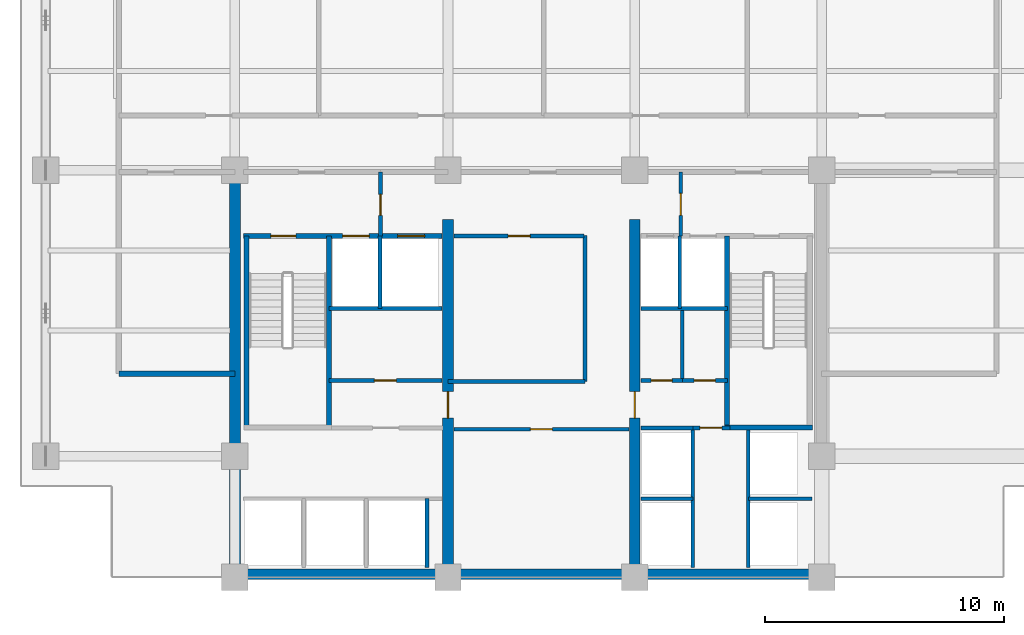
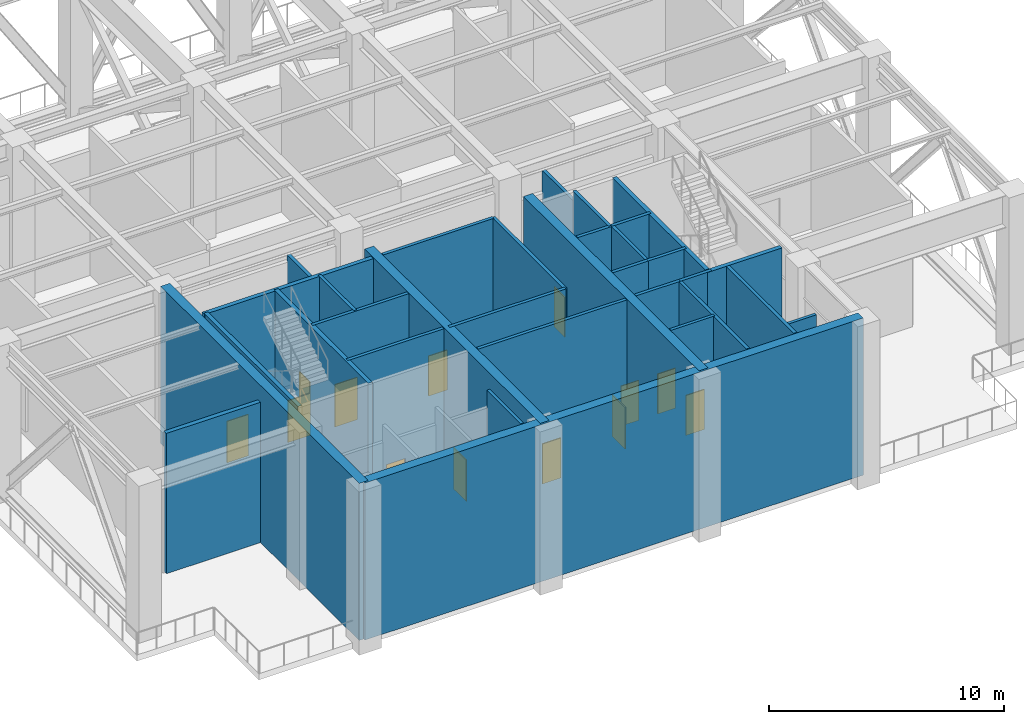
# One storey, part 3 of 7: 31 walls, 13 doors, 13 openings.
"""IFC4 building model written with IfcOpenShell, lengths in metres."""

from ifc_helpers import new_model, si_unit, direction, frame, frame_2d, origin, place, context, subcontext, project, spatial, rectangle, extrude, material, layer, layer_set, type_object, element, fill, save


model = new_model("IFC4")

# Units and contexts
model_context = context("Model", 3, precision=1e-05, world=origin(), true_north=direction((0.0, 1.0)))
body_context = subcontext(model_context, "Body", "Model", "MODEL_VIEW")
ifc_project = project(units=[si_unit("LENGTHUNIT", "METRE"), si_unit("AREAUNIT", "SQUARE_METRE"), si_unit("VOLUMEUNIT", "CUBIC_METRE"), si_unit("PLANEANGLEUNIT", "RADIAN"), si_unit("MASSUNIT", "GRAM", prefix="KILO")], contexts=[model_context])

# Site, building, storey
site_placement = place(None, origin())
site = spatial("IfcSite", under=ifc_project, at=site_placement, CompositionType="ELEMENT")
building_placement = place(site_placement, origin())
building = spatial("IfcBuilding", under=site, at=building_placement, Name="Qalmaran Belvedere Hotel", CompositionType="ELEMENT")
storey_placement = place(building_placement, frame((0.0, 0.0, 184.10009765625)))
storey = spatial("IfcBuildingStorey", under=building, at=storey_placement, Name="L47", CompositionType="ELEMENT", Elevation=184.10009765625)

# Walls
ifc_material_1 = material(Name="Concrete C50/60", Category="concrete")
ifc_layer_1 = layer(ifc_material_1, 0.449951171875, Name="Concrete C50/60")
ifc_layer_set_1 = layer_set([ifc_layer_1], Name="Concrete C50/60")
wall_type_1 = type_object("IfcWallType", Name="WL-CORE-450-C50", PredefinedType="SHEAR", material=ifc_layer_set_1)
wall_1_placement = place(storey_placement, frame((20.300048828125, 3.6298828125, 0.0), z_axis=(0.0, 0.0, 1.0), x_axis=(1.0, 0.0, 0.0)))
element("IfcWall", 1, at=wall_1_placement, inside=storey, type_object=wall_type_1, Name="L47 South Core Shear Wall", PredefinedType="SHEAR", context=body_context, shape_type="SweptSolid", body=[
    extrude(rectangle(XDim=24.5, YDim=0.449951171875, at=frame_2d((12.25, 0.0))), origin(), (0.0, 0.0, 1.0), 8.159912109375),
])
wall_2_placement = place(storey_placement, frame((20.300048828125, 3.5, 0.0), z_axis=(0.0, 0.0, 1.0), x_axis=(0.0, 1.0, 0.0)))
element("IfcWall", 2, at=wall_2_placement, inside=storey, type_object=wall_type_1, Name="L47 West Core Shear Wall", PredefinedType="SHEAR", context=body_context, shape_type="SweptSolid", body=[
    extrude(rectangle(XDim=16.89990234375, YDim=0.449951171875, at=frame_2d((8.449951171875, 0.0))), origin(), (0.0, 0.0, 1.0), 8.159912109375),
])

# Wall, opening, door
wall_3_placement = place(storey_placement, frame((29.199951171875, 3.5, 0.0), z_axis=(0.0, 0.0, 1.0), x_axis=(0.0, 1.0, 0.0)))
wall_3 = element("IfcWall", 3, at=wall_3_placement, inside=storey, type_object=wall_type_1, Name="L47 Core West Spine Shear Wall", PredefinedType="SHEAR", context=body_context, shape_type="SweptSolid", body=[
    extrude(rectangle(XDim=14.949951171875, YDim=0.449951171875, at=frame_2d((7.47509765625, 0.0))), origin(), (0.0, 0.0, 1.0), 8.159912109375),
])
opening_1_placement = place(wall_3_placement, frame((7.75, 0.0, 0.0), z_axis=(0.0, 0.0, 1.0), x_axis=(-1.0, 0.0, 0.0)))
opening_1 = element("IfcOpeningElement", 4, at=opening_1_placement, cuts=wall_3, Name="Opening FD90", PredefinedType="OPENING", context=body_context, shape_type="SweptSolid", body=[
    extrude(rectangle(XDim=1.10009765625, YDim=2.14990234375, at=frame_2d((0.550048828125, 1.074951171875))), frame((0.0, 0.23486328125, 0.0), z_axis=(0.0, -1.0, 0.0), x_axis=(1.0, 0.0, 0.0)), (0.0, 0.0, 1.0), 0.469970703125),
])
ifc_material_2 = material(Name="Steel S355JR", Category="steel")
door_type_1 = type_object("IfcDoorType", Name="DR-FD90-1100X2150", OperationType="NOTDEFINED", PredefinedType="DOOR", material=ifc_material_2)
door_1_placement = place(opening_1_placement, origin())
door_1 = element("IfcDoor", 5, at=door_1_placement, inside=storey, type_object=door_type_1, Name="L47 Core West Cross-Lobby Door", OperationType="SINGLE_SWING_RIGHT", OverallHeight=2.14990234375, OverallWidth=1.10009765625, PredefinedType="DOOR", context=body_context, shape_type="SweptSolid", body=[
    extrude(rectangle(XDim=1.10009765625, YDim=2.14990234375, at=frame_2d((0.550048828125, 1.074951171875))), frame((0.0, 0.02490234375, 0.0), z_axis=(0.0, -1.0, 0.0), x_axis=(1.0, 0.0, 0.0)), (0.0, 0.0, 1.0), 0.050048828125),
])
fill(opening_1, door_1)

wall_4_placement = place(storey_placement, frame((37.0, 3.5, 0.0), z_axis=(0.0, 0.0, 1.0), x_axis=(0.0, 1.0, 0.0)))
wall_4 = element("IfcWall", 6, at=wall_4_placement, inside=storey, type_object=wall_type_1, Name="L47 Core East Spine Shear Wall", PredefinedType="SHEAR", context=body_context, shape_type="SweptSolid", body=[
    extrude(rectangle(XDim=14.949951171875, YDim=0.449951171875, at=frame_2d((7.47509765625, 0.0))), origin(), (0.0, 0.0, 1.0), 8.159912109375),
])
opening_2_placement = place(wall_4_placement, frame((6.64990234375, 0.0, 0.0)))
opening_2 = element("IfcOpeningElement", 7, at=opening_2_placement, cuts=wall_4, Name="Opening FD90", PredefinedType="OPENING", context=body_context, shape_type="SweptSolid", body=[
    extrude(rectangle(XDim=1.10009765625, YDim=2.14990234375, at=frame_2d((0.550048828125, 1.074951171875))), frame((0.0, 0.23486328125, 0.0), z_axis=(0.0, -1.0, 0.0), x_axis=(1.0, 0.0, 0.0)), (0.0, 0.0, 1.0), 0.469970703125),
])
door_2_placement = place(opening_2_placement, origin())
door_2 = element("IfcDoor", 8, at=door_2_placement, inside=storey, type_object=door_type_1, Name="L47 Core East Cross-Lobby Door", OperationType="SINGLE_SWING_LEFT", OverallHeight=2.14990234375, OverallWidth=1.10009765625, PredefinedType="DOOR", context=body_context, shape_type="SweptSolid", body=[
    extrude(rectangle(XDim=1.10009765625, YDim=2.14990234375, at=frame_2d((0.550048828125, 1.074951171875))), frame((0.0, 0.02490234375, 0.0), z_axis=(0.0, -1.0, 0.0), x_axis=(1.0, 0.0, 0.0)), (0.0, 0.0, 1.0), 0.050048828125),
])
fill(opening_2, door_2)

# Walls
ifc_material_3 = material(Name="Gypsum Stud Partition")
ifc_layer_2 = layer(ifc_material_3, 0.14990234375, Name="Gypsum Stud Partition")
ifc_layer_set_2 = layer_set([ifc_layer_2], Name="Gypsum Stud Partition")
wall_type_2 = type_object("IfcWallType", Name="WL-INT-150-EI120", PredefinedType="PARTITIONING", material=ifc_layer_set_2)
for number, where, z_axis, x_axis, name in (
    (9, (26.360107421875, 14.719970703125, 0.0), (0.0, 0.0, 1.0), (0.0, 1.0, 0.0), "L47 Partition WL-FF1M-L47"),
    (10, (38.8798828125, 14.719970703125, 0.0), (0.0, 0.0, 1.0), (0.0, 1.0, 0.0), "L47 Partition WL-FF2M-L47"),
):
    element("IfcWall", number, at=place(storey_placement, frame(where, z_axis=z_axis, x_axis=x_axis)), inside=storey, type_object=wall_type_2, Name=name, PredefinedType="PARTITIONING", context=body_context, shape_type="SweptSolid", body=[
        extrude(rectangle(XDim=3.0400390625, YDim=0.14990234375, at=frame_2d((1.52001953125, 0.0))), origin(), (0.0, 0.0, 1.0), 8.159912109375),
    ])
wall_5_placement = place(storey_placement, frame((28.320068359375, 3.89990234375, 0.0), z_axis=(0.0, 0.0, 1.0), x_axis=(0.0, 1.0, 0.0)))
element("IfcWall", 11, at=wall_5_placement, inside=storey, type_object=wall_type_2, Name="L47 Partition WL-POM3-L47", PredefinedType="PARTITIONING", context=body_context, shape_type="SweptSolid", body=[
    extrude(rectangle(XDim=2.880126953125, YDim=0.14990234375, at=frame_2d((1.43994140625, 0.0))), origin(), (0.0, 0.0, 1.0), 8.159912109375),
])
wall_6_placement = place(storey_placement, frame((37.25, 6.780029296875, 0.0), z_axis=(0.0, 0.0, 1.0), x_axis=(1.0, 0.0, 0.0)))
element("IfcWall", 12, at=wall_6_placement, inside=storey, type_object=wall_type_2, Name="L47 Partition WL-PHMW-L47", PredefinedType="PARTITIONING", context=body_context, shape_type="SweptSolid", body=[
    extrude(rectangle(XDim=2.169921875, YDim=0.14990234375, at=frame_2d((1.0849609375, 0.0))), origin(), (0.0, 0.0, 1.0), 8.159912109375),
])
wall_7_placement = place(storey_placement, frame((41.739990234375, 6.780029296875, 0.0), z_axis=(0.0, 0.0, 1.0), x_axis=(1.0, 0.0, 0.0)))
element("IfcWall", 13, at=wall_7_placement, inside=storey, type_object=wall_type_2, Name="L47 Partition WL-PHME-L47", PredefinedType="PARTITIONING", context=body_context, shape_type="SweptSolid", body=[
    extrude(rectangle(XDim=2.659912109375, YDim=0.14990234375, at=frame_2d((1.330078125, 0.0))), origin(), (0.0, 0.0, 1.0), 6.46484375),
])
ifc_layer_3 = layer(ifc_material_3, 0.14990234375, Name="Gypsum Stud Partition")
ifc_layer_set_3 = layer_set([ifc_layer_3], Name="Gypsum Stud Partition")
wall_type_3 = type_object("IfcWallType", Name="WL-INT-150-EI60", PredefinedType="PARTITIONING", material=ifc_layer_set_3)
wall_8_placement = place(storey_placement, frame((38.98291015625, 11.719970703125, 0.0), z_axis=(0.0, 0.0, 1.0), x_axis=(0.0, 1.0, 0.0)))
element("IfcWall", 14, at=wall_8_placement, inside=storey, type_object=wall_type_3, Name="L47 Partition WL-L47-KEV1", PredefinedType="PARTITIONING", context=body_context, shape_type="SweptSolid", body=[
    extrude(rectangle(XDim=2.929931640625, YDim=0.14990234375, at=frame_2d((1.46484375, 0.0))), origin(), (0.0, 0.0, 1.0), 8.159912109375),
])

# Wall, opening, door
ifc_layer_4 = layer(ifc_material_3, 0.159912109375, Name="Gypsum Stud Partition")
ifc_layer_set_4 = layer_set([ifc_layer_4], Name="Gypsum Stud Partition")
wall_type_4 = type_object("IfcWallType", Name="WL-INT-160-EI120", PredefinedType="PARTITIONING", material=ifc_layer_set_4)
wall_9_placement = place(storey_placement, frame((26.3798828125, 17.760009765625, 0.0), z_axis=(0.0, 0.0, 1.0), x_axis=(0.0, 1.0, 0.0)))
wall_9 = element("IfcWall", 15, at=wall_9_placement, inside=storey, type_object=wall_type_4, Name="L47 Partition WL-FFSV1-L47", PredefinedType="PARTITIONING", context=body_context, shape_type="SweptSolid", body=[
    extrude(rectangle(XDim=2.659912109375, YDim=0.159912109375, at=frame_2d((1.330078125, 0.0))), origin(), (0.0, 0.0, 1.0), 7.601806640625),
])
opening_3_placement = place(wall_9_placement, frame((0.85009765625, 0.0, 0.0)))
opening_3 = element("IfcOpeningElement", 16, at=opening_3_placement, cuts=wall_9, Name="Opening FD60B", PredefinedType="OPENING", context=body_context, shape_type="SweptSolid", body=[
    extrude(rectangle(XDim=0.8798828125, YDim=2.080078125, at=frame_2d((0.43994140625, 1.0400390625))), frame((0.0, 0.08984375, 0.0), z_axis=(0.0, -1.0, 0.0), x_axis=(1.0, 0.0, 0.0)), (0.0, 0.0, 1.0), 0.179931640625),
])
door_type_2 = type_object("IfcDoorType", Name="DR-FD60B-880X2080", OperationType="NOTDEFINED", PredefinedType="DOOR", material=ifc_material_2)
door_3_placement = place(opening_3_placement, origin())
door_3 = element("IfcDoor", 17, at=door_3_placement, inside=storey, type_object=door_type_2, Name="L47 Service Lobby West Door", OperationType="SINGLE_SWING_RIGHT", OverallHeight=2.080078125, OverallWidth=0.8798828125, PredefinedType="DOOR", context=body_context, shape_type="SweptSolid", body=[
    extrude(rectangle(XDim=0.8798828125, YDim=2.080078125, at=frame_2d((0.43994140625, 1.0400390625))), frame((0.0, 0.02490234375, 0.0), z_axis=(0.0, -1.0, 0.0), x_axis=(1.0, 0.0, 0.0)), (0.0, 0.0, 1.0), 0.050048828125),
])
fill(opening_3, door_3)

wall_10_placement = place(storey_placement, frame((38.919921875, 17.760009765625, 0.0), z_axis=(0.0, 0.0, 1.0), x_axis=(0.0, 1.0, 0.0)))
wall_10 = element("IfcWall", 18, at=wall_10_placement, inside=storey, type_object=wall_type_4, Name="L47 Partition WL-FFSV2-L47", PredefinedType="PARTITIONING", context=body_context, shape_type="SweptSolid", body=[
    extrude(rectangle(XDim=2.659912109375, YDim=0.159912109375, at=frame_2d((1.330078125, 0.0))), origin(), (0.0, 0.0, 1.0), 7.601806640625),
])
opening_4_placement = place(wall_10_placement, frame((1.77001953125, 0.0, 0.0), z_axis=(0.0, 0.0, 1.0), x_axis=(-1.0, 0.0, 0.0)))
opening_4 = element("IfcOpeningElement", 19, at=opening_4_placement, cuts=wall_10, Name="Opening FD60S1", PredefinedType="OPENING", context=body_context, shape_type="SweptSolid", body=[
    extrude(rectangle(XDim=0.919921875, YDim=2.080078125, at=frame_2d((0.4599609375, 1.0400390625))), frame((0.0, 0.08984375, 0.0), z_axis=(0.0, -1.0, 0.0), x_axis=(1.0, 0.0, 0.0)), (0.0, 0.0, 1.0), 0.179931640625),
])
ifc_material_4 = material(Name="Engineered Oak Veneer")
door_type_3 = type_object("IfcDoorType", Name="DR-FD60S-920X2080", OperationType="NOTDEFINED", PredefinedType="DOOR", material=ifc_material_4)
door_4_placement = place(opening_4_placement, origin())
door_4 = element("IfcDoor", 20, at=door_4_placement, inside=storey, type_object=door_type_3, Name="L47 Service Lobby East Door", OperationType="SINGLE_SWING_LEFT", OverallHeight=2.080078125, OverallWidth=0.919921875, PredefinedType="DOOR", context=body_context, shape_type="SweptSolid", body=[
    extrude(rectangle(XDim=0.919921875, YDim=2.080078125, at=frame_2d((0.4599609375, 1.0400390625))), frame((0.0, 0.02490234375, 0.0), z_axis=(0.0, -1.0, 0.0), x_axis=(1.0, 0.0, 0.0)), (0.0, 0.0, 1.0), 0.050048828125),
])
fill(opening_4, door_4)

# Walls
wall_11_placement = place(storey_placement, frame((24.219970703125, 14.719970703125, 0.0), z_axis=(0.0, 0.0, 1.0), x_axis=(1.0, 0.0, 0.0)))
element("IfcWall", 21, at=wall_11_placement, inside=storey, type_object=wall_type_4, Name="L47 Partition WL-FF1S-L47", PredefinedType="PARTITIONING", context=body_context, shape_type="SweptSolid", body=[
    extrude(rectangle(XDim=4.72998046875, YDim=0.159912109375, at=frame_2d((2.364990234375, 0.0))), origin(), (0.0, 0.0, 1.0), 8.159912109375),
])
wall_12_placement = place(storey_placement, frame((37.25, 14.719970703125, 0.0), z_axis=(0.0, 0.0, 1.0), x_axis=(1.0, 0.0, 0.0)))
element("IfcWall", 22, at=wall_12_placement, inside=storey, type_object=wall_type_4, Name="L47 Partition WL-FF2S-L47", PredefinedType="PARTITIONING", context=body_context, shape_type="SweptSolid", body=[
    extrude(rectangle(XDim=3.610107421875, YDim=0.159912109375, at=frame_2d((1.80517578125, 0.0))), origin(), (0.0, 0.0, 1.0), 8.159912109375),
])
for number, where, z_axis, x_axis, name in (
    (23, (39.419921875, 3.89990234375, 0.0), (0.0, 0.0, 1.0), (0.0, 1.0, 0.0), "L47 Partition WL-PHW-L47"),
    (24, (41.739990234375, 3.89990234375, 0.0), (0.0, 0.0, 1.0), (0.0, 1.0, 0.0), "L47 Partition WL-PHE-L47"),
):
    element("IfcWall", number, at=place(storey_placement, frame(where, z_axis=z_axis, x_axis=x_axis)), inside=storey, type_object=wall_type_4, Name=name, PredefinedType="PARTITIONING", context=body_context, shape_type="SweptSolid", body=[
        extrude(rectangle(XDim=5.840087890625, YDim=0.159912109375, at=frame_2d((2.919921875, 0.0))), origin(), (0.0, 0.0, 1.0), 8.159912109375),
    ])
wall_13_placement = place(storey_placement, frame((37.25, 9.739990234375, 0.0), z_axis=(0.0, 0.0, 1.0), x_axis=(1.0, 0.0, 0.0)))
element("IfcWall", 25, at=wall_13_placement, inside=storey, type_object=wall_type_4, Name="L47 Partition WL-PHNW-L47", PredefinedType="PARTITIONING", context=body_context, shape_type="SweptSolid", body=[
    extrude(rectangle(XDim=2.169921875, YDim=0.159912109375, at=frame_2d((1.0849609375, 0.0))), origin(), (0.0, 0.0, 1.0), 8.159912109375),
])

# Wall, opening, door
wall_14_placement = place(storey_placement, frame((39.419921875, 9.739990234375, 0.0), z_axis=(0.0, 0.0, 1.0), x_axis=(1.0, 0.0, 0.0)))
wall_14 = element("IfcWall", 26, at=wall_14_placement, inside=storey, type_object=wall_type_4, Name="L47 Partition WL-PHNL-L47", PredefinedType="PARTITIONING", context=body_context, shape_type="SweptSolid", body=[
    extrude(rectangle(XDim=1.56005859375, YDim=0.159912109375, at=frame_2d((0.780029296875, 0.0))), origin(), (0.0, 0.0, 1.0), 8.159912109375),
])
opening_5_placement = place(wall_14_placement, frame((0.300048828125, 0.0, 0.0)))
opening_5 = element("IfcOpeningElement", 27, at=opening_5_placement, cuts=wall_14, Name="Opening FD60S1", PredefinedType="OPENING", context=body_context, shape_type="SweptSolid", body=[
    extrude(rectangle(XDim=0.919921875, YDim=2.080078125, at=frame_2d((0.4599609375, 1.0400390625))), frame((0.0, 0.08984375, 0.0), z_axis=(0.0, -1.0, 0.0), x_axis=(1.0, 0.0, 0.0)), (0.0, 0.0, 1.0), 0.179931640625),
])
door_5_placement = place(opening_5_placement, origin())
door_5 = element("IfcDoor", 28, at=door_5_placement, inside=storey, type_object=door_type_3, Name="L47 High-Rise Lift Lobby Passage Door", OperationType="SINGLE_SWING_LEFT", OverallHeight=2.080078125, OverallWidth=0.919921875, PredefinedType="DOOR", context=body_context, shape_type="SweptSolid", body=[
    extrude(rectangle(XDim=0.919921875, YDim=2.080078125, at=frame_2d((0.4599609375, 1.0400390625))), frame((0.0, 0.02490234375, 0.0), z_axis=(0.0, -1.0, 0.0), x_axis=(1.0, 0.0, 0.0)), (0.0, 0.0, 1.0), 0.050048828125),
])
fill(opening_5, door_5)

ifc_layer_5 = layer(ifc_material_3, 0.159912109375, Name="Gypsum Stud Partition")
ifc_layer_set_5 = layer_set([ifc_layer_5], Name="Gypsum Stud Partition")
wall_type_5 = type_object("IfcWallType", Name="WL-INT-160-EI60", PredefinedType="PARTITIONING", material=ifc_layer_set_5)
wall_15_placement = place(storey_placement, frame((24.219970703125, 11.719970703125, 0.0), z_axis=(0.0, 0.0, 1.0), x_axis=(1.0, 0.0, 0.0)))
wall_15 = element("IfcWall", 29, at=wall_15_placement, inside=storey, type_object=wall_type_5, Name="L47 Partition WL-L47-KWE1", PredefinedType="PARTITIONING", context=body_context, shape_type="SweptSolid", body=[
    extrude(rectangle(XDim=4.72998046875, YDim=0.159912109375, at=frame_2d((2.364990234375, 0.0))), origin(), (0.0, 0.0, 1.0), 8.159912109375),
])
opening_6_placement = place(wall_15_placement, frame((1.905029296875, 0.0, 0.0)))
opening_6 = element("IfcOpeningElement", 30, at=opening_6_placement, cuts=wall_15, Name="Opening FD60S1", PredefinedType="OPENING", context=body_context, shape_type="SweptSolid", body=[
    extrude(rectangle(XDim=0.919921875, YDim=2.080078125, at=frame_2d((0.4599609375, 1.0400390625))), frame((0.0, 0.08984375, 0.0), z_axis=(0.0, -1.0, 0.0), x_axis=(1.0, 0.0, 0.0)), (0.0, 0.0, 1.0), 0.179931640625),
])
door_6_placement = place(opening_6_placement, origin())
door_6 = element("IfcDoor", 31, at=door_6_placement, inside=storey, type_object=door_type_3, Name="L47 Electrical Switchgear Plant Room Door", OperationType="SINGLE_SWING_LEFT", OverallHeight=2.080078125, OverallWidth=0.919921875, PredefinedType="DOOR", context=body_context, shape_type="SweptSolid", body=[
    extrude(rectangle(XDim=0.919921875, YDim=2.080078125, at=frame_2d((0.4599609375, 1.0400390625))), frame((0.0, 0.02490234375, 0.0), z_axis=(0.0, -1.0, 0.0), x_axis=(1.0, 0.0, 0.0)), (0.0, 0.0, 1.0), 0.050048828125),
])
fill(opening_6, door_6)

wall_16_placement = place(storey_placement, frame((37.25, 11.719970703125, 0.0), z_axis=(0.0, 0.0, 1.0), x_axis=(1.0, 0.0, 0.0)))
wall_16 = element("IfcWall", 32, at=wall_16_placement, inside=storey, type_object=wall_type_5, Name="L47 Partition WL-L47-KEE1", PredefinedType="PARTITIONING", context=body_context, shape_type="SweptSolid", body=[
    extrude(rectangle(XDim=1.73291015625, YDim=0.159912109375, at=frame_2d((0.866455078125, 0.0))), origin(), (0.0, 0.0, 1.0), 8.159912109375),
])
opening_7_placement = place(wall_16_placement, frame((0.426513671875, 0.0, 0.0)))
opening_7 = element("IfcOpeningElement", 33, at=opening_7_placement, cuts=wall_16, Name="Opening FD60B", PredefinedType="OPENING", context=body_context, shape_type="SweptSolid", body=[
    extrude(rectangle(XDim=0.8798828125, YDim=2.080078125, at=frame_2d((0.43994140625, 1.0400390625))), frame((0.0, 0.08984375, 0.0), z_axis=(0.0, -1.0, 0.0), x_axis=(1.0, 0.0, 0.0)), (0.0, 0.0, 1.0), 0.179931640625),
])
door_7_placement = place(opening_7_placement, origin())
door_7 = element("IfcDoor", 34, at=door_7_placement, inside=storey, type_object=door_type_2, Name="L47 Smoke Control Plant Room Door", OperationType="SINGLE_SWING_RIGHT", OverallHeight=2.080078125, OverallWidth=0.8798828125, PredefinedType="DOOR", context=body_context, shape_type="SweptSolid", body=[
    extrude(rectangle(XDim=0.8798828125, YDim=2.080078125, at=frame_2d((0.43994140625, 1.0400390625))), frame((0.0, 0.02490234375, 0.0), z_axis=(0.0, -1.0, 0.0), x_axis=(1.0, 0.0, 0.0)), (0.0, 0.0, 1.0), 0.050048828125),
])
fill(opening_7, door_7)

wall_17_placement = place(storey_placement, frame((38.98291015625, 11.719970703125, 0.0), z_axis=(0.0, 0.0, 1.0), x_axis=(1.0, 0.0, 0.0)))
wall_17 = element("IfcWall", 35, at=wall_17_placement, inside=storey, type_object=wall_type_5, Name="L47 Partition WL-L47-KEE2", PredefinedType="PARTITIONING", context=body_context, shape_type="SweptSolid", body=[
    extrude(rectangle(XDim=1.877197265625, YDim=0.159912109375, at=frame_2d((0.9384765625, 0.0))), origin(), (0.0, 0.0, 1.0), 8.159912109375),
])
opening_8_placement = place(wall_17_placement, frame((0.49853515625, 0.0, 0.0)))
opening_8 = element("IfcOpeningElement", 36, at=opening_8_placement, cuts=wall_17, Name="Opening FD60B", PredefinedType="OPENING", context=body_context, shape_type="SweptSolid", body=[
    extrude(rectangle(XDim=0.8798828125, YDim=2.080078125, at=frame_2d((0.43994140625, 1.0400390625))), frame((0.0, 0.08984375, 0.0), z_axis=(0.0, -1.0, 0.0), x_axis=(1.0, 0.0, 0.0)), (0.0, 0.0, 1.0), 0.179931640625),
])
door_8_placement = place(opening_8_placement, origin())
door_8 = element("IfcDoor", 37, at=door_8_placement, inside=storey, type_object=door_type_2, Name="L47 Low Voltage Switch Plant Room Door", OperationType="SINGLE_SWING_LEFT", OverallHeight=2.080078125, OverallWidth=0.8798828125, PredefinedType="DOOR", context=body_context, shape_type="SweptSolid", body=[
    extrude(rectangle(XDim=0.8798828125, YDim=2.080078125, at=frame_2d((0.43994140625, 1.0400390625))), frame((0.0, 0.02490234375, 0.0), z_axis=(0.0, -1.0, 0.0), x_axis=(1.0, 0.0, 0.0)), (0.0, 0.0, 1.0), 0.050048828125),
])
fill(opening_8, door_8)

# Wall
wall_18_placement = place(storey_placement, frame((34.919921875, 11.679931640625, 0.0), z_axis=(0.0, 0.0, 1.0), x_axis=(0.0, 1.0, 0.0)))
element("IfcWall", 38, at=wall_18_placement, inside=storey, type_object=wall_type_5, Name="L47 Partition WL-CLLV-L47", PredefinedType="PARTITIONING", context=body_context, shape_type="SweptSolid", body=[
    extrude(rectangle(XDim=6.10009765625, YDim=0.159912109375, at=frame_2d((3.050048828125, 0.0))), origin(), (0.0, 0.0, 1.0), 8.159912109375),
])

# Wall, opening, door
wall_19_placement = place(storey_placement, frame((29.449951171875, 9.679931640625, 0.0), z_axis=(0.0, 0.0, 1.0), x_axis=(1.0, 0.0, 0.0)))
wall_19 = element("IfcWall", 39, at=wall_19_placement, inside=storey, type_object=wall_type_5, Name="L47 Partition WL-L47-KPLE1", PredefinedType="PARTITIONING", context=body_context, shape_type="SweptSolid", body=[
    extrude(rectangle(XDim=7.300048828125, YDim=0.159912109375, at=frame_2d((3.64990234375, 0.0))), origin(), (0.0, 0.0, 1.0), 8.159912109375),
])
opening_9_placement = place(wall_19_placement, frame((4.10986328125, 0.0, 0.0), z_axis=(0.0, 0.0, 1.0), x_axis=(-1.0, 0.0, 0.0)))
opening_9 = element("IfcOpeningElement", 40, at=opening_9_placement, cuts=wall_19, Name="Opening FD60S1", PredefinedType="OPENING", context=body_context, shape_type="SweptSolid", body=[
    extrude(rectangle(XDim=0.919921875, YDim=2.080078125, at=frame_2d((0.4599609375, 1.0400390625))), frame((0.0, 0.08984375, 0.0), z_axis=(0.0, -1.0, 0.0), x_axis=(1.0, 0.0, 0.0)), (0.0, 0.0, 1.0), 0.179931640625),
])
door_9_placement = place(opening_9_placement, origin())
door_9 = element("IfcDoor", 41, at=door_9_placement, inside=storey, type_object=door_type_3, Name="L47 Pressurisation Fan Plant Room Door", OperationType="SINGLE_SWING_RIGHT", OverallHeight=2.080078125, OverallWidth=0.919921875, PredefinedType="DOOR", context=body_context, shape_type="SweptSolid", body=[
    extrude(rectangle(XDim=0.919921875, YDim=2.080078125, at=frame_2d((0.4599609375, 1.0400390625))), frame((0.0, 0.02490234375, 0.0), z_axis=(0.0, -1.0, 0.0), x_axis=(1.0, 0.0, 0.0)), (0.0, 0.0, 1.0), 0.050048828125),
])
fill(opening_9, door_9)

# Wall
wall_20_placement = place(storey_placement, frame((29.199951171875, 11.679931640625, 0.0), z_axis=(0.0, 0.0, 1.0), x_axis=(1.0, 0.0, 0.0)))
element("IfcWall", 42, at=wall_20_placement, inside=storey, type_object=wall_type_5, Name="L47 Partition WL-PMFS-L47", PredefinedType="PARTITIONING", context=body_context, shape_type="SweptSolid", body=[
    extrude(rectangle(XDim=5.719970703125, YDim=0.159912109375, at=frame_2d((2.85986328125, 0.0))), origin(), (0.0, 0.0, 1.0), 8.159912109375),
])

# Wall, opening, door
wall_21_placement = place(storey_placement, frame((29.449951171875, 17.75, 0.0), z_axis=(0.0, 0.0, 1.0), x_axis=(1.0, 0.0, 0.0)))
wall_21 = element("IfcWall", 43, at=wall_21_placement, inside=storey, type_object=wall_type_5, Name="L47 Partition WL-L47-KPME1", PredefinedType="PARTITIONING", context=body_context, shape_type="SweptSolid", body=[
    extrude(rectangle(XDim=5.429931640625, YDim=0.159912109375, at=frame_2d((2.71484375, 0.0))), origin(), (0.0, 0.0, 1.0), 8.159912109375),
])
opening_10_placement = place(wall_21_placement, frame((3.1748046875, 0.0, 0.0), z_axis=(0.0, 0.0, 1.0), x_axis=(-1.0, 0.0, 0.0)))
opening_10 = element("IfcOpeningElement", 44, at=opening_10_placement, cuts=wall_21, Name="Opening FD60S1", PredefinedType="OPENING", context=body_context, shape_type="SweptSolid", body=[
    extrude(rectangle(XDim=0.919921875, YDim=2.080078125, at=frame_2d((0.4599609375, 1.0400390625))), frame((0.0, 0.08984375, 0.0), z_axis=(0.0, -1.0, 0.0), x_axis=(1.0, 0.0, 0.0)), (0.0, 0.0, 1.0), 0.179931640625),
])
door_10_placement = place(opening_10_placement, origin())
door_10 = element("IfcDoor", 45, at=door_10_placement, inside=storey, type_object=door_type_3, Name="L47 Telecom UPS Plant Room Door", OperationType="SINGLE_SWING_LEFT", OverallHeight=2.080078125, OverallWidth=0.919921875, PredefinedType="DOOR", context=body_context, shape_type="SweptSolid", body=[
    extrude(rectangle(XDim=0.919921875, YDim=2.080078125, at=frame_2d((0.4599609375, 1.0400390625))), frame((0.0, 0.02490234375, 0.0), z_axis=(0.0, -1.0, 0.0), x_axis=(1.0, 0.0, 0.0)), (0.0, 0.0, 1.0), 0.050048828125),
])
fill(opening_10, door_10)

# Walls
ifc_material_5 = material(Name="Concrete C30/37 Blockwork", Category="masonry")
ifc_layer_6 = layer(ifc_material_5, 0.219970703125, Name="Concrete C30/37 Blockwork")
ifc_layer_set_6 = layer_set([ifc_layer_6], Name="Concrete C30/37 Blockwork")
wall_type_6 = type_object("IfcWallType", Name="WL-INT-220-EI120", PredefinedType="PARTITIONING", material=ifc_layer_set_6)
wall_22_placement = place(storey_placement, frame((15.449951171875, 12.0, 0.0), z_axis=(0.0, 0.0, 1.0), x_axis=(1.0, 0.0, 0.0)))
element("IfcWall", 46, at=wall_22_placement, inside=storey, type_object=wall_type_6, Name="L47 Partition WL-L47-PRSW", PredefinedType="PARTITIONING", context=body_context, shape_type="SweptSolid", body=[
    extrude(rectangle(XDim=4.85009765625, YDim=0.219970703125, at=frame_2d((2.425048828125, 0.0))), origin(), (0.0, 0.0, 1.0), 7.289794921875),
])
ifc_layer_7 = layer(ifc_material_1, 0.2099609375, Name="Concrete C50/60")
ifc_layer_set_7 = layer_set([ifc_layer_7], Name="Concrete C50/60")
wall_type_7 = type_object("IfcWallType", Name="WL-STAIR-210-C50", PredefinedType="SHEAR", material=ifc_layer_set_7)
for number, where, z_axis, x_axis, name in (
    (47, (20.77490234375, 9.7451171875, 0.0), (0.0, 0.0, 1.0), (0.0, 1.0, 0.0), "L47 Stair ST-1 West Bearing Wall"),
    (48, (24.22509765625, 9.7451171875, 0.0), (0.0, 0.0, 1.0), (0.0, 1.0, 0.0), "L47 Stair ST-1 East Bearing Wall"),
):
    element("IfcWall", number, at=place(storey_placement, frame(where, z_axis=z_axis, x_axis=x_axis)), inside=storey, type_object=wall_type_7, Name=name, PredefinedType="SHEAR", context=body_context, shape_type="SweptSolid", body=[
        extrude(rectangle(XDim=8.009765625, YDim=0.2099609375, at=frame_2d((4.0048828125, 0.0))), origin(), (0.0, 0.0, 1.0), 8.159912109375),
    ])

# Wall, openings, doors
wall_23_placement = place(storey_placement, frame((20.64990234375, 17.7548828125, 0.0), z_axis=(0.0, 0.0, 1.0), x_axis=(1.0, 0.0, 0.0)))
wall_23 = element("IfcWall", 49, at=wall_23_placement, inside=storey, type_object=wall_type_7, Name="L47 West Lobby and Stair ST-1 North Bearing Wall", PredefinedType="SHEAR", context=body_context, shape_type="SweptSolid", body=[
    extrude(rectangle(XDim=8.300048828125, YDim=0.2099609375, at=frame_2d((4.14990234375, 0.0))), origin(), (0.0, 0.0, 1.0), 8.159912109375),
])
opening_11_placement = place(wall_23_placement, frame((2.199951171875, 0.0, 0.0), z_axis=(0.0, 0.0, 1.0), x_axis=(-1.0, 0.0, 0.0)))
opening_11 = element("IfcOpeningElement", 50, at=opening_11_placement, cuts=wall_23, Name="Opening FD90S2", PredefinedType="OPENING", context=body_context, shape_type="SweptSolid", body=[
    extrude(rectangle(XDim=1.050048828125, YDim=2.14990234375, at=frame_2d((0.52490234375, 1.074951171875))), frame((0.0, 0.114990234375, 0.0), z_axis=(0.0, -1.0, 0.0), x_axis=(1.0, 0.0, 0.0)), (0.0, 0.0, 1.0), 0.22998046875),
])
opening_12_placement = place(wall_23_placement, frame((4.14990234375, 0.0, 0.0)))
opening_12 = element("IfcOpeningElement", 51, at=opening_12_placement, cuts=wall_23, Name="Opening LD-FF", PredefinedType="OPENING", context=body_context, shape_type="SweptSolid", body=[
    extrude(rectangle(XDim=1.10009765625, YDim=2.179931640625, at=frame_2d((0.550048828125, 1.08984375))), frame((0.0, 0.114990234375, 0.0), z_axis=(0.0, -1.0, 0.0), x_axis=(1.0, 0.0, 0.0)), (0.0, 0.0, 1.0), 0.22998046875),
])
opening_13_placement = place(wall_23_placement, frame((6.449951171875, 0.0, 0.0)))
opening_13 = element("IfcOpeningElement", 52, at=opening_13_placement, cuts=wall_23, Name="Opening LD-SV", PredefinedType="OPENING", context=body_context, shape_type="SweptSolid", body=[
    extrude(rectangle(XDim=1.1201171875, YDim=2.199951171875, at=frame_2d((0.56005859375, 1.10009765625))), frame((0.0, 0.114990234375, 0.0), z_axis=(0.0, -1.0, 0.0), x_axis=(1.0, 0.0, 0.0)), (0.0, 0.0, 1.0), 0.22998046875),
])
door_type_4 = type_object("IfcDoorType", Name="DR-FD90S-1050X2150", OperationType="NOTDEFINED", PredefinedType="DOOR", material=ifc_material_2)
door_11_placement = place(opening_11_placement, origin())
door_11 = element("IfcDoor", 53, at=door_11_placement, inside=storey, type_object=door_type_4, Name="L47 Stair ST-1 Door", OperationType="SINGLE_SWING_RIGHT", OverallHeight=2.14990234375, OverallWidth=1.050048828125, PredefinedType="DOOR", context=body_context, shape_type="SweptSolid", body=[
    extrude(rectangle(XDim=1.050048828125, YDim=2.14990234375, at=frame_2d((0.52490234375, 1.074951171875))), frame((0.0, 0.02490234375, 0.0), z_axis=(0.0, -1.0, 0.0), x_axis=(1.0, 0.0, 0.0)), (0.0, 0.0, 1.0), 0.050048828125),
])
fill(opening_11, door_11)
ifc_material_6 = material(Name="Stainless Steel 1.4401", Category="steel")
door_type_5 = type_object("IfcDoorType", Name="DR-LIFT-FF-1100X2180", OperationType="DOUBLE_DOOR_SLIDING", PredefinedType="DOOR", material=ifc_material_6)
door_12_placement = place(opening_12_placement, origin())
door_12 = element("IfcDoor", 54, at=door_12_placement, inside=storey, type_object=door_type_5, Name="L47 FF1 Lift Landing Door", OperationType="DOUBLE_DOOR_SLIDING", OverallHeight=2.179931640625, OverallWidth=1.10009765625, PredefinedType="DOOR", context=body_context, shape_type="SweptSolid", body=[
    extrude(rectangle(XDim=1.10009765625, YDim=2.179931640625, at=frame_2d((0.550048828125, 1.08984375))), frame((0.0, 0.02490234375, 0.0), z_axis=(0.0, -1.0, 0.0), x_axis=(1.0, 0.0, 0.0)), (0.0, 0.0, 1.0), 0.050048828125),
])
fill(opening_12, door_12)
door_type_6 = type_object("IfcDoorType", Name="DR-LIFT-SV-1120X2200", OperationType="DOUBLE_DOOR_SLIDING", PredefinedType="DOOR", material=ifc_material_6)
door_13_placement = place(opening_13_placement, origin())
door_13 = element("IfcDoor", 55, at=door_13_placement, inside=storey, type_object=door_type_6, Name="L47 SV1 Lift Landing Door", OperationType="DOUBLE_DOOR_SLIDING", OverallHeight=2.199951171875, OverallWidth=1.1201171875, PredefinedType="DOOR", context=body_context, shape_type="SweptSolid", body=[
    extrude(rectangle(XDim=1.1201171875, YDim=2.199951171875, at=frame_2d((0.56005859375, 1.10009765625))), frame((0.0, 0.02490234375, 0.0), z_axis=(0.0, -1.0, 0.0), x_axis=(1.0, 0.0, 0.0)), (0.0, 0.0, 1.0), 0.050048828125),
])
fill(opening_13, door_13)

# Walls
wall_24_placement = place(storey_placement, frame((40.85498046875, 9.7451171875, 0.0), z_axis=(0.0, 0.0, 1.0), x_axis=(0.0, 1.0, 0.0)))
element("IfcWall", 56, at=wall_24_placement, inside=storey, type_object=wall_type_7, Name="L47 Stair ST-2 West Bearing Wall", PredefinedType="SHEAR", context=body_context, shape_type="SweptSolid", body=[
    extrude(rectangle(XDim=8.009765625, YDim=0.2099609375, at=frame_2d((4.0048828125, 0.0))), origin(), (0.0, 0.0, 1.0), 8.159912109375),
])
wall_25_placement = place(storey_placement, frame((40.75, 9.7451171875, 0.0), z_axis=(0.0, 0.0, 1.0), x_axis=(1.0, 0.0, 0.0)))
element("IfcWall", 57, at=wall_25_placement, inside=storey, type_object=wall_type_7, Name="L47 Stair ST-2 South Bearing Wall", PredefinedType="SHEAR", context=body_context, shape_type="SweptSolid", body=[
    extrude(rectangle(XDim=3.659912109375, YDim=0.2099609375, at=frame_2d((1.830078125, 0.0))), origin(), (0.0, 0.0, 1.0), 8.159912109375),
])

save(model, "model.ifc")
